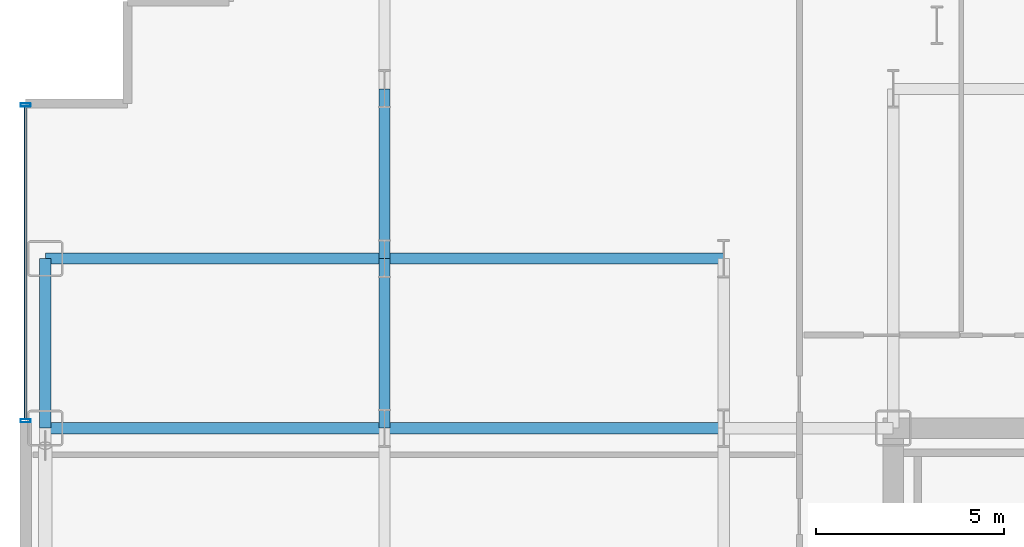
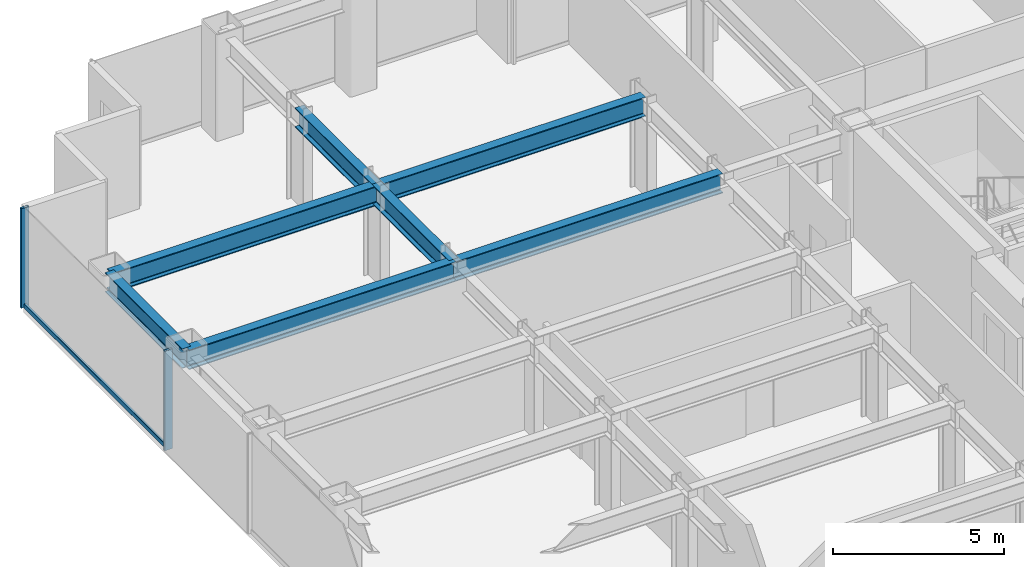
# One storey, part 11 of 29: 7 beams, 3 members, 1 element without a shape of its own.
"""IFC4 building model written with IfcOpenShell, lengths in metres."""

from ifc_helpers import new_model, si_unit, direction, frame, origin, origin_2d, place, context, subcontext, project, spatial, hollow_rectangle, i_section, extrude, source, transform, mapped, material, layer, layer_set, material_profile, profile_set, type_object, element, aggregate, save


model = new_model("IFC4")

# Units and contexts
model_context = context("Model", 3, precision=1e-05, world=origin(), true_north=direction((0.0, 1.0)))
body_context = subcontext(model_context, "Body", "Model", "MODEL_VIEW")
ifc_project = project(units=[si_unit("LENGTHUNIT", "METRE"), si_unit("AREAUNIT", "SQUARE_METRE"), si_unit("VOLUMEUNIT", "CUBIC_METRE"), si_unit("PLANEANGLEUNIT", "RADIAN"), si_unit("MASSUNIT", "GRAM", prefix="KILO")], contexts=[model_context])

# Site, building, storey
site_placement = place(None, origin())
site = spatial("IfcSite", under=ifc_project, at=site_placement, CompositionType="ELEMENT")
building_placement = place(site_placement, origin())
building = spatial("IfcBuilding", under=site, at=building_placement, Name="Nefas-Gora Pilgrimage Tower", CompositionType="ELEMENT")
storey_placement = place(building_placement, frame((0.0, 0.0, 90.800048828125)))
storey = spatial("IfcBuildingStorey", under=building, at=storey_placement, Name="L21", CompositionType="ELEMENT", Elevation=90.800048828125)

# Beams
ifc_material_1 = material(Name="Steel S355", Category="steel")
ifc_material_profile_1 = material_profile(ifc_material_1, i_section(OverallWidth=0.300048828125, OverallDepth=0.699951171875, WebThickness=0.01708984375, FlangeThickness=0.031982421875, FilletRadius=0.027099609375, at=origin_2d()), Name="HEB 700")
ifc_profile_set_1 = profile_set([ifc_material_profile_1], Name="Steel S355")
beam_type_1 = type_object("IfcBeamType", Name="BM-SPN-HEB600", PredefinedType="SPANDREL", material=ifc_profile_set_1)
shared_shape_1 = source(origin(), body_context, "Body", "SweptSolid", [
    extrude(i_section(OverallWidth=0.300048828125, OverallDepth=0.699951171875, WebThickness=0.01708984375, FlangeThickness=0.031982421875, FilletRadius=0.027099609375, at=origin_2d()), origin(), (0.0, 0.0, 1.0), 4.5),
])
beam_placement = place(storey_placement, frame((-33.75, 9.0, 3.199951171875), z_axis=(0.0, 1.0, 0.0), x_axis=(-1.0, 0.0, 0.0)))
element("IfcBeam", 1, at=beam_placement, inside=storey, type_object=beam_type_1, Name="L21 SP-01 beam", PredefinedType="SPANDREL", context=body_context, shape_type="MappedRepresentation", body=[
    mapped(shared_shape_1, transform((0.0, 0.0, 0.0), x_axis=(1.0, 0.0, 0.0), y_axis=(0.0, 1.0, 0.0), z_axis=(0.0, 0.0, 1.0), scale=1.0)),
])
ifc_material_profile_2 = material_profile(ifc_material_1, i_section(OverallWidth=0.300048828125, OverallDepth=0.699951171875, WebThickness=0.01708984375, FlangeThickness=0.031982421875, FilletRadius=0.027099609375, at=origin_2d()), Name="HEB 700")
ifc_profile_set_2 = profile_set([ifc_material_profile_2], Name="Steel S355")
beam_type_2 = type_object("IfcBeamType", Name="BM-GIR-HEB700", PredefinedType="BEAM", material=ifc_profile_set_2)
shared_shape_2 = source(origin(), body_context, "Body", "SweptSolid", [
    extrude(i_section(OverallWidth=0.300048828125, OverallDepth=0.699951171875, WebThickness=0.01708984375, FlangeThickness=0.031982421875, FilletRadius=0.027099609375, at=origin_2d()), origin(), (0.0, 0.0, 1.0), 9.0),
])
for number, where, z_axis, x_axis, name in (
    (2, (-33.75, 9.0, 3.199951171875), (1.0, 0.0, 0.0), (0.0, 1.0, 0.0), "L21 G-02 beam"),
    (3, (-33.75, 13.5, 3.199951171875), (1.0, 0.0, 0.0), (0.0, 1.0, 0.0), "L21 G-02 beam"),
    (4, (-24.75, 9.0, 3.199951171875), (1.0, 0.0, 0.0), (0.0, 1.0, 0.0), "L21 G-02 beam"),
    (5, (-24.75, 13.5, 3.199951171875), (1.0, 0.0, 0.0), (0.0, 1.0, 0.0), "L21 G-02 beam"),
):
    element("IfcBeam", number, at=place(storey_placement, frame(where, z_axis=z_axis, x_axis=x_axis)), inside=storey, type_object=beam_type_2, Name=name, PredefinedType="BEAM", context=body_context, shape_type="MappedRepresentation", body=[
        mapped(shared_shape_2, transform((0.0, 0.0, 0.0), x_axis=(1.0, 0.0, 0.0), y_axis=(0.0, 1.0, 0.0), z_axis=(0.0, 0.0, 1.0), scale=1.0)),
    ])
shared_shape_3 = source(origin(), body_context, "Body", "SweptSolid", [
    extrude(i_section(OverallWidth=0.300048828125, OverallDepth=0.699951171875, WebThickness=0.01708984375, FlangeThickness=0.031982421875, FilletRadius=0.027099609375, at=origin_2d()), origin(), (0.0, 0.0, 1.0), 4.5),
])
for number, where, z_axis, x_axis, name in (
    (6, (-24.75, 9.0, 3.199951171875), (0.0, 1.0, 0.0), (-1.0, 0.0, 0.0), "L21 G-02 beam"),
    (7, (-24.75, 13.5, 3.199951171875), (0.0, 1.0, 0.0), (-1.0, 0.0, 0.0), "L21 G-02 beam"),
):
    element("IfcBeam", number, at=place(storey_placement, frame(where, z_axis=z_axis, x_axis=x_axis)), inside=storey, type_object=beam_type_2, Name=name, PredefinedType="BEAM", context=body_context, shape_type="MappedRepresentation", body=[
        mapped(shared_shape_3, transform((0.0, 0.0, 0.0), x_axis=(1.0, 0.0, 0.0), y_axis=(0.0, 1.0, 0.0), z_axis=(0.0, 0.0, 1.0), scale=1.0)),
    ])

# Curtain wall, members
ifc_material_2 = material(Name="Dark ceramic-fritted solar-control aluminium-glass curtain wall", Category="aluminium")
ifc_layer = layer(ifc_material_2, 0.219970703125)
ifc_layer_set = layer_set([ifc_layer], Name="Dark ceramic-fritted solar-control aluminium-glass curtain wall")
curtain_wall_type = type_object("IfcCurtainWallType", Name="CW-SYS-2", PredefinedType="NOTDEFINED", material=ifc_layer_set)
curtain_wall_placement = place(storey_placement, origin())
curtain_wall = element("IfcCurtainWall", 8, at=curtain_wall_placement, inside=storey, type_object=curtain_wall_type, Name="L21 Unitised Curtain Wall CW2", PredefinedType="NOTDEFINED")
ifc_material_3 = material(Name="Anodised architectural aluminium", Category="aluminium")
ifc_material_profile_3 = material_profile(ifc_material_3, hollow_rectangle(XDim=0.090087890625, YDim=0.260009765625, WallThickness=0.006103515625, InnerFilletRadius=0.006103515625, OuterFilletRadius=0.011962890625, at=origin_2d()), Name="ALU MULLION 90x260")
ifc_profile_set_3 = profile_set([ifc_material_profile_3], Name="Anodised architectural aluminium")
member_type_1 = type_object("IfcMemberType", Name="CWM-MUL-2", PredefinedType="MULLION", material=ifc_profile_set_3)
shared_shape_4 = source(origin(), body_context, "Body", "SweptSolid", [
    extrude(hollow_rectangle(XDim=0.090087890625, YDim=0.260009765625, WallThickness=0.006103515625, InnerFilletRadius=0.006103515625, OuterFilletRadius=0.011962890625, at=origin_2d()), origin(), (0.0, 0.0, 1.0), 3.550048828125),
])
member_1_placement = place(storey_placement, frame((-34.27001953125, 17.574951171875, 0.0), z_axis=(0.0, 0.0, 1.0), x_axis=(0.0, -1.0, 0.0)))
member_1 = element("IfcMember", 9, at=member_1_placement, type_object=member_type_1, Name="CW2 Mullion 1", PredefinedType="MULLION", context=body_context, shape_type="MappedRepresentation", body=[
    mapped(shared_shape_4, transform((0.0, 0.0, 0.0), x_axis=(1.0, 0.0, 0.0), y_axis=(0.0, 1.0, 0.0), z_axis=(0.0, 0.0, 1.0), scale=1.0)),
])
member_2_placement = place(storey_placement, frame((-34.27001953125, 9.195068359375, 0.0), z_axis=(0.0, 0.0, 1.0), x_axis=(0.0, -1.0, 0.0)))
member_2 = element("IfcMember", 10, at=member_2_placement, type_object=member_type_1, Name="CW2 Mullion 2", PredefinedType="MULLION", context=body_context, shape_type="MappedRepresentation", body=[
    mapped(shared_shape_4, transform((0.0, 0.0, 0.0), x_axis=(1.0, 0.0, 0.0), y_axis=(0.0, 1.0, 0.0), z_axis=(0.0, 0.0, 1.0), scale=1.0)),
])
ifc_material_profile_4 = material_profile(ifc_material_3, hollow_rectangle(XDim=0.080078125, YDim=0.159912109375, WallThickness=0.00439453125, InnerFilletRadius=0.00439453125, OuterFilletRadius=0.009033203125, at=origin_2d()), Name="ALU TRANSOM 80x160")
ifc_profile_set_4 = profile_set([ifc_material_profile_4], Name="Anodised architectural aluminium")
member_type_2 = type_object("IfcMemberType", Name="CWM-TRN-2", PredefinedType="USERDEFINED", material=ifc_profile_set_4)
shared_shape_5 = source(origin(), body_context, "Body", "SweptSolid", [
    extrude(hollow_rectangle(XDim=0.080078125, YDim=0.159912109375, WallThickness=0.00439453125, InnerFilletRadius=0.00439453125, OuterFilletRadius=0.009033203125, at=origin_2d()), origin(), (0.0, 0.0, 1.0), 8.2900390625),
])
member_3_placement = place(storey_placement, frame((-34.27001953125, 17.530029296875, 0.050048828125), z_axis=(0.0, -1.0, 0.0), x_axis=(1.0, 0.0, 0.0)))
member_3 = element("IfcMember", 11, at=member_3_placement, type_object=member_type_2, Name="CW2 Spandrel Transom", ObjectType="TRANSOM", PredefinedType="USERDEFINED", context=body_context, shape_type="MappedRepresentation", body=[
    mapped(shared_shape_5, transform((0.0, 0.0, 0.0), x_axis=(1.0, 0.0, 0.0), y_axis=(0.0, 1.0, 0.0), z_axis=(0.0, 0.0, 1.0), scale=1.0)),
])
aggregate(curtain_wall, [member_1, member_2, member_3])

save(model, "model.ifc")
